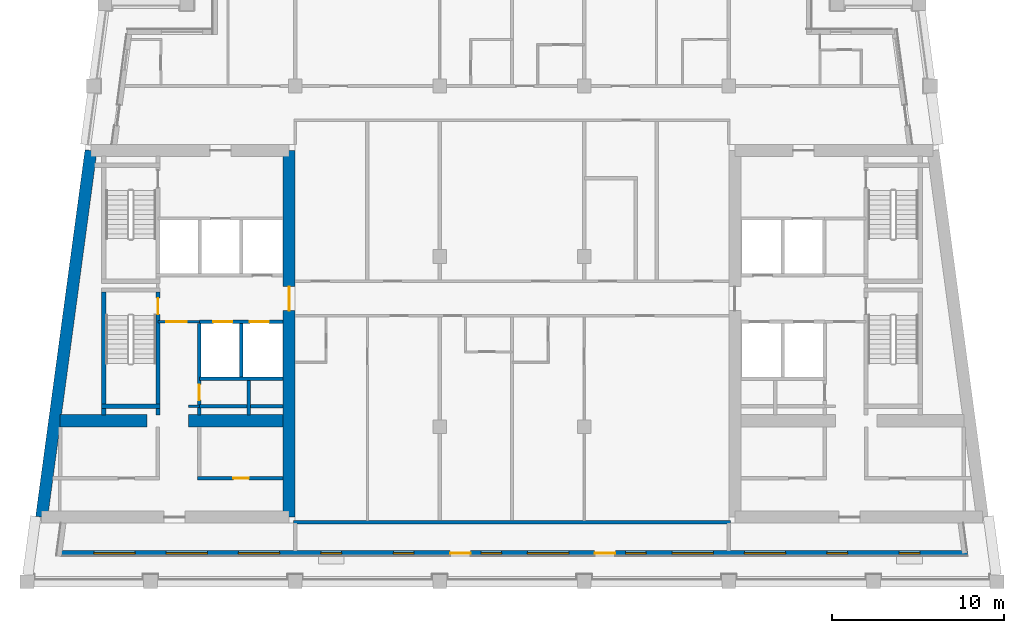
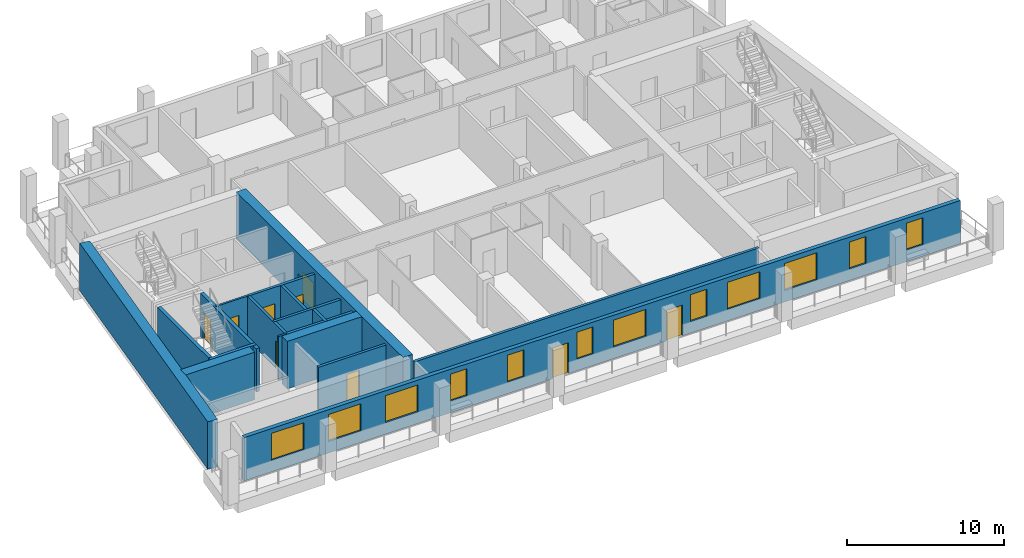
# One storey, part 2 of 14: 18 walls, 12 windows, 9 doors, 21 openings.
"""IFC4 building model written with IfcOpenShell, lengths in metres."""

from ifc_helpers import new_model, si_unit, direction, frame, frame_2d, origin, place, context, subcontext, project, spatial, rectangle, extrude, material, layer, layer_set, type_object, element, fill, save


model = new_model("IFC4")

# Units and contexts
model_context = context("Model", 3, precision=1e-05, world=origin(), true_north=direction((0.0, 1.0)))
body_context = subcontext(model_context, "Body", "Model", "MODEL_VIEW")
ifc_project = project(units=[si_unit("LENGTHUNIT", "METRE"), si_unit("AREAUNIT", "SQUARE_METRE"), si_unit("VOLUMEUNIT", "CUBIC_METRE"), si_unit("PLANEANGLEUNIT", "RADIAN"), si_unit("MASSUNIT", "GRAM", prefix="KILO")], contexts=[model_context])

# Site, building, storey
site_placement = place(None, origin())
site = spatial("IfcSite", under=ifc_project, at=site_placement, CompositionType="ELEMENT")
building_placement = place(site_placement, origin())
building = spatial("IfcBuilding", under=site, at=building_placement, Name="Candeia Pilgrim Tower and Theatre", CompositionType="ELEMENT")
storey_placement = place(building_placement, frame((0.0, 0.0, 266.39990234375)))
storey = spatial("IfcBuildingStorey", under=building, at=storey_placement, Name="L64", CompositionType="ELEMENT", Elevation=266.39990234375)

# Wall, opening, door
ifc_material_1 = material(Name="Concrete C40/50", Category="concrete")
ifc_layer_1 = layer(ifc_material_1, 0.699951171875)
ifc_layer_set_1 = layer_set([ifc_layer_1], Name="Core wall 700 C40/50")
wall_type_1 = type_object("IfcWallType", Name="Core wall 700 C40/50", PredefinedType="SHEAR", material=ifc_layer_set_1)
wall_1_placement = place(storey_placement, frame((100.449951171875, 132.050048828125, 0.0), z_axis=(0.0, 0.0, 1.0), x_axis=(0.0, -1.0, 0.0)))
wall_1 = element("IfcWall", 1, at=wall_1_placement, inside=storey, type_object=wall_type_1, Name="Core wall W2", PredefinedType="SHEAR", context=body_context, shape_type="SweptSolid", body=[
    extrude(rectangle(XDim=21.300048828125, YDim=0.699951171875, at=frame_2d((10.64990234375, 0.0))), origin(), (0.0, 0.0, 1.0), 3.7001953125),
])
opening_1_placement = place(wall_1_placement, frame((7.89990234375, 0.0, 0.0)))
opening_1 = element("IfcOpeningElement", 2, at=opening_1_placement, cuts=wall_1, Name="Opening L64-D044", PredefinedType="OPENING", context=body_context, shape_type="SweptSolid", body=[
    extrude(rectangle(XDim=1.39990234375, YDim=2.10009765625, at=frame_2d((0.699951171875, 1.050048828125))), frame((0.0, 0.35986328125, 0.0), z_axis=(0.0, -1.0, 0.0), x_axis=(1.0, 0.0, 0.0)), (0.0, 0.0, 1.0), 0.719970703125),
])
ifc_material_2 = material(Name="Steel fire door set", Category="steel")
door_type_1 = type_object("IfcDoorType", Name="D-1400-FD60", OperationType="NOTDEFINED", PredefinedType="DOOR", material=ifc_material_2)
door_1_placement = place(opening_1_placement, origin())
door_1 = element("IfcDoor", 3, at=door_1_placement, inside=storey, type_object=door_type_1, Name="Door L64-D044", OperationType="SINGLE_SWING_RIGHT", OverallHeight=2.10009765625, OverallWidth=1.39990234375, PredefinedType="DOOR", context=body_context, shape_type="SweptSolid", body=[
    extrude(rectangle(XDim=1.39990234375, YDim=2.10009765625, at=frame_2d((0.699951171875, 1.050048828125))), frame((0.0, 0.02490234375, 0.0), z_axis=(0.0, -1.0, 0.0), x_axis=(1.0, 0.0, 0.0)), (0.0, 0.0, 1.0), 0.050048828125),
])
fill(opening_1, door_1)

# Walls
wall_2_placement = place(storey_placement, frame((86.069580078125, 110.75, 0.0), z_axis=(0.0, 0.0, 1.0), x_axis=(0.133406218907, 0.991061441464, 0.0)))
element("IfcWall", 4, at=wall_2_placement, inside=storey, type_object=wall_type_1, Name="Core wall W4", PredefinedType="SHEAR", context=body_context, shape_type="SweptSolid", body=[
    extrude(rectangle(XDim=21.4921875, YDim=0.699951171875, at=frame_2d((10.74609375, 0.0))), origin(), (0.0, 0.0, 1.0), 3.7001953125),
])
wall_3_placement = place(storey_placement, frame((87.123046875, 116.35009765625, 0.0), z_axis=(0.0, 0.0, 1.0), x_axis=(1.0, 0.0, 0.0)))
element("IfcWall", 5, at=wall_3_placement, inside=storey, type_object=wall_type_1, Name="Core wall W5", PredefinedType="SHEAR", context=body_context, shape_type="SweptSolid", body=[
    extrude(rectangle(XDim=5.076904296875, YDim=0.699951171875, at=frame_2d((2.53857421875, 0.0))), origin(), (0.0, 0.0, 1.0), 3.7001953125),
])
wall_4_placement = place(storey_placement, frame((94.60009765625, 116.35009765625, 0.0), z_axis=(0.0, 0.0, 1.0), x_axis=(1.0, 0.0, 0.0)))
element("IfcWall", 6, at=wall_4_placement, inside=storey, type_object=wall_type_1, Name="Core wall W6", PredefinedType="SHEAR", context=body_context, shape_type="SweptSolid", body=[
    extrude(rectangle(XDim=5.5, YDim=0.699951171875, at=frame_2d((2.75, 0.0))), origin(), (0.0, 0.0, 1.0), 3.7001953125),
])

# Wall, openings, doors, windows
ifc_material_3 = material(Name="Ceramic block masonry", Category="masonry")
ifc_layer_2 = layer(ifc_material_3, 0.300048828125)
ifc_layer_set_2 = layer_set([ifc_layer_2], Name="EW1 glazing-line wall 300")
wall_type_2 = type_object("IfcWallType", Name="EW1 glazing-line wall 300", PredefinedType="SOLIDWALL", material=ifc_layer_set_2)
wall_5_placement = place(storey_placement, frame((87.0986328125, 108.64990234375, 0.0), z_axis=(0.0, 0.0, 1.0), x_axis=(1.0, 0.0, 0.0)))
wall_5 = element("IfcWall", 7, at=wall_5_placement, inside=storey, type_object=wall_type_2, Name="External wall L64-1.0", PredefinedType="SOLIDWALL", context=body_context, shape_type="SweptSolid", body=[
    extrude(rectangle(XDim=52.7744140625, YDim=0.300048828125, at=frame_2d((26.38720703125, 0.0))), origin(), (0.0, 0.0, 1.0), 3.380126953125),
])
opening_2_placement = place(wall_5_placement, frame((2.00146484375, 0.0, 0.89990234375)))
opening_2 = element("IfcOpeningElement", 8, at=opening_2_placement, cuts=wall_5, Name="Opening W-A", PredefinedType="OPENING", context=body_context, shape_type="SweptSolid", body=[
    extrude(rectangle(XDim=2.39990234375, YDim=2.10009765625, at=frame_2d((1.199951171875, 1.050048828125))), frame((0.0, 0.16015625, 0.0), z_axis=(0.0, -1.0, 0.0), x_axis=(1.0, 0.0, 0.0)), (0.0, 0.0, 1.0), 0.320068359375),
])
opening_3_placement = place(wall_5_placement, frame((6.201416015625, 0.0, 0.89990234375)))
opening_3 = element("IfcOpeningElement", 9, at=opening_3_placement, cuts=wall_5, Name="Opening W-A", PredefinedType="OPENING", context=body_context, shape_type="SweptSolid", body=[
    extrude(rectangle(XDim=2.39990234375, YDim=2.10009765625, at=frame_2d((1.199951171875, 1.050048828125))), frame((0.0, 0.16015625, 0.0), z_axis=(0.0, -1.0, 0.0), x_axis=(1.0, 0.0, 0.0)), (0.0, 0.0, 1.0), 0.320068359375),
])
opening_4_placement = place(wall_5_placement, frame((10.4013671875, 0.0, 0.89990234375)))
opening_4 = element("IfcOpeningElement", 10, at=opening_4_placement, cuts=wall_5, Name="Opening W-A", PredefinedType="OPENING", context=body_context, shape_type="SweptSolid", body=[
    extrude(rectangle(XDim=2.39990234375, YDim=2.10009765625, at=frame_2d((1.199951171875, 1.050048828125))), frame((0.0, 0.16015625, 0.0), z_axis=(0.0, -1.0, 0.0), x_axis=(1.0, 0.0, 0.0)), (0.0, 0.0, 1.0), 0.320068359375),
])
opening_5_placement = place(wall_5_placement, frame((15.201416015625, 0.0, 0.89990234375)))
opening_5 = element("IfcOpeningElement", 11, at=opening_5_placement, cuts=wall_5, Name="Opening W-B", PredefinedType="OPENING", context=body_context, shape_type="SweptSolid", body=[
    extrude(rectangle(XDim=1.199951171875, YDim=2.10009765625, at=frame_2d((0.60009765625, 1.050048828125))), frame((0.0, 0.16015625, 0.0), z_axis=(0.0, -1.0, 0.0), x_axis=(1.0, 0.0, 0.0)), (0.0, 0.0, 1.0), 0.320068359375),
])
opening_6_placement = place(wall_5_placement, frame((19.4013671875, 0.0, 0.89990234375)))
opening_6 = element("IfcOpeningElement", 12, at=opening_6_placement, cuts=wall_5, Name="Opening W-B", PredefinedType="OPENING", context=body_context, shape_type="SweptSolid", body=[
    extrude(rectangle(XDim=1.199951171875, YDim=2.10009765625, at=frame_2d((0.60009765625, 1.050048828125))), frame((0.0, 0.16015625, 0.0), z_axis=(0.0, -1.0, 0.0), x_axis=(1.0, 0.0, 0.0)), (0.0, 0.0, 1.0), 0.320068359375),
])
opening_7_placement = place(wall_5_placement, frame((22.701416015625, 0.0, 0.0)))
opening_7 = element("IfcOpeningElement", 13, at=opening_7_placement, cuts=wall_5, Name="Opening L64-ED605", PredefinedType="OPENING", context=body_context, shape_type="SweptSolid", body=[
    extrude(rectangle(XDim=1.199951171875, YDim=2.39990234375, at=frame_2d((0.60009765625, 1.199951171875))), frame((0.0, 0.16015625, 0.0), z_axis=(0.0, -1.0, 0.0), x_axis=(1.0, 0.0, 0.0)), (0.0, 0.0, 1.0), 0.320068359375),
])
opening_8_placement = place(wall_5_placement, frame((24.50146484375, 0.0, 0.89990234375)))
opening_8 = element("IfcOpeningElement", 14, at=opening_8_placement, cuts=wall_5, Name="Opening W-B", PredefinedType="OPENING", context=body_context, shape_type="SweptSolid", body=[
    extrude(rectangle(XDim=1.199951171875, YDim=2.10009765625, at=frame_2d((0.60009765625, 1.050048828125))), frame((0.0, 0.16015625, 0.0), z_axis=(0.0, -1.0, 0.0), x_axis=(1.0, 0.0, 0.0)), (0.0, 0.0, 1.0), 0.320068359375),
])
opening_9_placement = place(wall_5_placement, frame((27.201416015625, 0.0, 0.89990234375)))
opening_9 = element("IfcOpeningElement", 15, at=opening_9_placement, cuts=wall_5, Name="Opening W-A", PredefinedType="OPENING", context=body_context, shape_type="SweptSolid", body=[
    extrude(rectangle(XDim=2.39990234375, YDim=2.10009765625, at=frame_2d((1.199951171875, 1.050048828125))), frame((0.0, 0.16015625, 0.0), z_axis=(0.0, -1.0, 0.0), x_axis=(1.0, 0.0, 0.0)), (0.0, 0.0, 1.0), 0.320068359375),
])
opening_10_placement = place(wall_5_placement, frame((31.1015625, 0.0, 0.0)))
opening_10 = element("IfcOpeningElement", 16, at=opening_10_placement, cuts=wall_5, Name="Opening L64-ED606", PredefinedType="OPENING", context=body_context, shape_type="SweptSolid", body=[
    extrude(rectangle(XDim=1.199951171875, YDim=2.39990234375, at=frame_2d((0.60009765625, 1.199951171875))), frame((0.0, 0.16015625, 0.0), z_axis=(0.0, -1.0, 0.0), x_axis=(1.0, 0.0, 0.0)), (0.0, 0.0, 1.0), 0.320068359375),
])
opening_11_placement = place(wall_5_placement, frame((32.9013671875, 0.0, 0.89990234375)))
opening_11 = element("IfcOpeningElement", 17, at=opening_11_placement, cuts=wall_5, Name="Opening W-B", PredefinedType="OPENING", context=body_context, shape_type="SweptSolid", body=[
    extrude(rectangle(XDim=1.199951171875, YDim=2.10009765625, at=frame_2d((0.60009765625, 1.050048828125))), frame((0.0, 0.16015625, 0.0), z_axis=(0.0, -1.0, 0.0), x_axis=(1.0, 0.0, 0.0)), (0.0, 0.0, 1.0), 0.320068359375),
])
opening_12_placement = place(wall_5_placement, frame((35.6015625, 0.0, 0.89990234375)))
opening_12 = element("IfcOpeningElement", 18, at=opening_12_placement, cuts=wall_5, Name="Opening W-A", PredefinedType="OPENING", context=body_context, shape_type="SweptSolid", body=[
    extrude(rectangle(XDim=2.39990234375, YDim=2.10009765625, at=frame_2d((1.199951171875, 1.050048828125))), frame((0.0, 0.16015625, 0.0), z_axis=(0.0, -1.0, 0.0), x_axis=(1.0, 0.0, 0.0)), (0.0, 0.0, 1.0), 0.320068359375),
])
opening_13_placement = place(wall_5_placement, frame((39.801513671875, 0.0, 0.89990234375)))
opening_13 = element("IfcOpeningElement", 19, at=opening_13_placement, cuts=wall_5, Name="Opening W-A", PredefinedType="OPENING", context=body_context, shape_type="SweptSolid", body=[
    extrude(rectangle(XDim=2.39990234375, YDim=2.10009765625, at=frame_2d((1.199951171875, 1.050048828125))), frame((0.0, 0.16015625, 0.0), z_axis=(0.0, -1.0, 0.0), x_axis=(1.0, 0.0, 0.0)), (0.0, 0.0, 1.0), 0.320068359375),
])
opening_14_placement = place(wall_5_placement, frame((44.6015625, 0.0, 0.89990234375)))
opening_14 = element("IfcOpeningElement", 20, at=opening_14_placement, cuts=wall_5, Name="Opening W-B", PredefinedType="OPENING", context=body_context, shape_type="SweptSolid", body=[
    extrude(rectangle(XDim=1.199951171875, YDim=2.10009765625, at=frame_2d((0.60009765625, 1.050048828125))), frame((0.0, 0.16015625, 0.0), z_axis=(0.0, -1.0, 0.0), x_axis=(1.0, 0.0, 0.0)), (0.0, 0.0, 1.0), 0.320068359375),
])
opening_15_placement = place(wall_5_placement, frame((48.801513671875, 0.0, 0.89990234375)))
opening_15 = element("IfcOpeningElement", 21, at=opening_15_placement, cuts=wall_5, Name="Opening W-B", PredefinedType="OPENING", context=body_context, shape_type="SweptSolid", body=[
    extrude(rectangle(XDim=1.199951171875, YDim=2.10009765625, at=frame_2d((0.60009765625, 1.050048828125))), frame((0.0, 0.16015625, 0.0), z_axis=(0.0, -1.0, 0.0), x_axis=(1.0, 0.0, 0.0)), (0.0, 0.0, 1.0), 0.320068359375),
])
ifc_material_4 = material(Name="Aluminium framed glazed door", Category="aluminium")
door_type_2 = type_object("IfcDoorType", Name="Loggia door 1200x2400", OperationType="DOUBLE_DOOR_SINGLE_SWING", PredefinedType="DOOR", material=ifc_material_4)
door_2_placement = place(opening_7_placement, origin())
door_2 = element("IfcDoor", 22, at=door_2_placement, inside=storey, type_object=door_type_2, Name="Loggia door L64-ED605", OperationType="DOUBLE_DOOR_SINGLE_SWING", OverallHeight=2.39990234375, OverallWidth=1.199951171875, PredefinedType="DOOR", context=body_context, shape_type="SweptSolid", body=[
    extrude(rectangle(XDim=1.199951171875, YDim=2.39990234375, at=frame_2d((0.60009765625, 1.199951171875))), frame((0.0, 0.02490234375, 0.0), z_axis=(0.0, -1.0, 0.0), x_axis=(1.0, 0.0, 0.0)), (0.0, 0.0, 1.0), 0.050048828125),
])
fill(opening_7, door_2)
door_3_placement = place(opening_10_placement, origin())
door_3 = element("IfcDoor", 23, at=door_3_placement, inside=storey, type_object=door_type_2, Name="Loggia door L64-ED606", OperationType="DOUBLE_DOOR_SINGLE_SWING", OverallHeight=2.39990234375, OverallWidth=1.199951171875, PredefinedType="DOOR", context=body_context, shape_type="SweptSolid", body=[
    extrude(rectangle(XDim=1.199951171875, YDim=2.39990234375, at=frame_2d((0.60009765625, 1.199951171875))), frame((0.0, 0.02490234375, 0.0), z_axis=(0.0, -1.0, 0.0), x_axis=(1.0, 0.0, 0.0)), (0.0, 0.0, 1.0), 0.050048828125),
])
fill(opening_10, door_3)
ifc_material_5 = material(Name="Aluminium framed double glazing", Category="aluminium")
window_type_1 = type_object("IfcWindowType", Name="W-A window 2400x2100", PartitioningType="DOUBLE_PANEL_VERTICAL", PredefinedType="WINDOW", material=ifc_material_5)
window_1_placement = place(opening_2_placement, origin())
window_1 = element("IfcWindow", 24, at=window_1_placement, inside=storey, type_object=window_type_1, Name="Window W-A L64", OverallHeight=2.10009765625, OverallWidth=2.39990234375, PartitioningType="SINGLE_PANEL", PredefinedType="WINDOW", context=body_context, shape_type="SweptSolid", body=[
    extrude(rectangle(XDim=2.39990234375, YDim=2.10009765625, at=frame_2d((1.199951171875, 1.050048828125))), frame((0.0, 0.030029296875, 0.0), z_axis=(0.0, -1.0, 0.0), x_axis=(1.0, 0.0, 0.0)), (0.0, 0.0, 1.0), 0.06005859375),
])
fill(opening_2, window_1)
window_2_placement = place(opening_3_placement, origin())
window_2 = element("IfcWindow", 25, at=window_2_placement, inside=storey, type_object=window_type_1, Name="Window W-A L64", OverallHeight=2.10009765625, OverallWidth=2.39990234375, PartitioningType="SINGLE_PANEL", PredefinedType="WINDOW", context=body_context, shape_type="SweptSolid", body=[
    extrude(rectangle(XDim=2.39990234375, YDim=2.10009765625, at=frame_2d((1.199951171875, 1.050048828125))), frame((0.0, 0.030029296875, 0.0), z_axis=(0.0, -1.0, 0.0), x_axis=(1.0, 0.0, 0.0)), (0.0, 0.0, 1.0), 0.06005859375),
])
fill(opening_3, window_2)
window_3_placement = place(opening_4_placement, origin())
window_3 = element("IfcWindow", 26, at=window_3_placement, inside=storey, type_object=window_type_1, Name="Window W-A L64", OverallHeight=2.10009765625, OverallWidth=2.39990234375, PartitioningType="SINGLE_PANEL", PredefinedType="WINDOW", context=body_context, shape_type="SweptSolid", body=[
    extrude(rectangle(XDim=2.39990234375, YDim=2.10009765625, at=frame_2d((1.199951171875, 1.050048828125))), frame((0.0, 0.030029296875, 0.0), z_axis=(0.0, -1.0, 0.0), x_axis=(1.0, 0.0, 0.0)), (0.0, 0.0, 1.0), 0.06005859375),
])
fill(opening_4, window_3)
window_4_placement = place(opening_9_placement, origin())
window_4 = element("IfcWindow", 27, at=window_4_placement, inside=storey, type_object=window_type_1, Name="Window W-A L64", OverallHeight=2.10009765625, OverallWidth=2.39990234375, PartitioningType="SINGLE_PANEL", PredefinedType="WINDOW", context=body_context, shape_type="SweptSolid", body=[
    extrude(rectangle(XDim=2.39990234375, YDim=2.10009765625, at=frame_2d((1.199951171875, 1.050048828125))), frame((0.0, 0.030029296875, 0.0), z_axis=(0.0, -1.0, 0.0), x_axis=(1.0, 0.0, 0.0)), (0.0, 0.0, 1.0), 0.06005859375),
])
fill(opening_9, window_4)
window_5_placement = place(opening_12_placement, origin())
window_5 = element("IfcWindow", 28, at=window_5_placement, inside=storey, type_object=window_type_1, Name="Window W-A L64", OverallHeight=2.10009765625, OverallWidth=2.39990234375, PartitioningType="SINGLE_PANEL", PredefinedType="WINDOW", context=body_context, shape_type="SweptSolid", body=[
    extrude(rectangle(XDim=2.39990234375, YDim=2.10009765625, at=frame_2d((1.199951171875, 1.050048828125))), frame((0.0, 0.030029296875, 0.0), z_axis=(0.0, -1.0, 0.0), x_axis=(1.0, 0.0, 0.0)), (0.0, 0.0, 1.0), 0.06005859375),
])
fill(opening_12, window_5)
window_6_placement = place(opening_13_placement, origin())
window_6 = element("IfcWindow", 29, at=window_6_placement, inside=storey, type_object=window_type_1, Name="Window W-A L64", OverallHeight=2.10009765625, OverallWidth=2.39990234375, PartitioningType="SINGLE_PANEL", PredefinedType="WINDOW", context=body_context, shape_type="SweptSolid", body=[
    extrude(rectangle(XDim=2.39990234375, YDim=2.10009765625, at=frame_2d((1.199951171875, 1.050048828125))), frame((0.0, 0.030029296875, 0.0), z_axis=(0.0, -1.0, 0.0), x_axis=(1.0, 0.0, 0.0)), (0.0, 0.0, 1.0), 0.06005859375),
])
fill(opening_13, window_6)
window_type_2 = type_object("IfcWindowType", Name="W-B window 1200x2100", PartitioningType="SINGLE_PANEL", PredefinedType="WINDOW", material=ifc_material_5)
window_7_placement = place(opening_5_placement, origin())
window_7 = element("IfcWindow", 30, at=window_7_placement, inside=storey, type_object=window_type_2, Name="Window W-B L64", OverallHeight=2.10009765625, OverallWidth=1.199951171875, PartitioningType="SINGLE_PANEL", PredefinedType="WINDOW", context=body_context, shape_type="SweptSolid", body=[
    extrude(rectangle(XDim=1.199951171875, YDim=2.10009765625, at=frame_2d((0.60009765625, 1.050048828125))), frame((0.0, 0.030029296875, 0.0), z_axis=(0.0, -1.0, 0.0), x_axis=(1.0, 0.0, 0.0)), (0.0, 0.0, 1.0), 0.06005859375),
])
fill(opening_5, window_7)
window_8_placement = place(opening_6_placement, origin())
window_8 = element("IfcWindow", 31, at=window_8_placement, inside=storey, type_object=window_type_2, Name="Window W-B L64", OverallHeight=2.10009765625, OverallWidth=1.199951171875, PartitioningType="SINGLE_PANEL", PredefinedType="WINDOW", context=body_context, shape_type="SweptSolid", body=[
    extrude(rectangle(XDim=1.199951171875, YDim=2.10009765625, at=frame_2d((0.60009765625, 1.050048828125))), frame((0.0, 0.030029296875, 0.0), z_axis=(0.0, -1.0, 0.0), x_axis=(1.0, 0.0, 0.0)), (0.0, 0.0, 1.0), 0.06005859375),
])
fill(opening_6, window_8)
window_9_placement = place(opening_8_placement, origin())
window_9 = element("IfcWindow", 32, at=window_9_placement, inside=storey, type_object=window_type_2, Name="Window W-B L64", OverallHeight=2.10009765625, OverallWidth=1.199951171875, PartitioningType="SINGLE_PANEL", PredefinedType="WINDOW", context=body_context, shape_type="SweptSolid", body=[
    extrude(rectangle(XDim=1.199951171875, YDim=2.10009765625, at=frame_2d((0.60009765625, 1.050048828125))), frame((0.0, 0.030029296875, 0.0), z_axis=(0.0, -1.0, 0.0), x_axis=(1.0, 0.0, 0.0)), (0.0, 0.0, 1.0), 0.06005859375),
])
fill(opening_8, window_9)
window_10_placement = place(opening_11_placement, origin())
window_10 = element("IfcWindow", 33, at=window_10_placement, inside=storey, type_object=window_type_2, Name="Window W-B L64", OverallHeight=2.10009765625, OverallWidth=1.199951171875, PartitioningType="SINGLE_PANEL", PredefinedType="WINDOW", context=body_context, shape_type="SweptSolid", body=[
    extrude(rectangle(XDim=1.199951171875, YDim=2.10009765625, at=frame_2d((0.60009765625, 1.050048828125))), frame((0.0, 0.030029296875, 0.0), z_axis=(0.0, -1.0, 0.0), x_axis=(1.0, 0.0, 0.0)), (0.0, 0.0, 1.0), 0.06005859375),
])
fill(opening_11, window_10)
window_11_placement = place(opening_14_placement, origin())
window_11 = element("IfcWindow", 34, at=window_11_placement, inside=storey, type_object=window_type_2, Name="Window W-B L64", OverallHeight=2.10009765625, OverallWidth=1.199951171875, PartitioningType="SINGLE_PANEL", PredefinedType="WINDOW", context=body_context, shape_type="SweptSolid", body=[
    extrude(rectangle(XDim=1.199951171875, YDim=2.10009765625, at=frame_2d((0.60009765625, 1.050048828125))), frame((0.0, 0.030029296875, 0.0), z_axis=(0.0, -1.0, 0.0), x_axis=(1.0, 0.0, 0.0)), (0.0, 0.0, 1.0), 0.06005859375),
])
fill(opening_14, window_11)
window_12_placement = place(opening_15_placement, origin())
window_12 = element("IfcWindow", 35, at=window_12_placement, inside=storey, type_object=window_type_2, Name="Window W-B L64", OverallHeight=2.10009765625, OverallWidth=1.199951171875, PartitioningType="SINGLE_PANEL", PredefinedType="WINDOW", context=body_context, shape_type="SweptSolid", body=[
    extrude(rectangle(XDim=1.199951171875, YDim=2.10009765625, at=frame_2d((0.60009765625, 1.050048828125))), frame((0.0, 0.030029296875, 0.0), z_axis=(0.0, -1.0, 0.0), x_axis=(1.0, 0.0, 0.0)), (0.0, 0.0, 1.0), 0.06005859375),
])
fill(opening_15, window_12)

# Wall
ifc_material_6 = material(Name="Gypsum board partition on steel studs", Category="steel")
ifc_layer_3 = layer(ifc_material_6, 0.14990234375)
ifc_layer_set_3 = layer_set([ifc_layer_3], Name="PW-150 lobby wall")
wall_type_3 = type_object("IfcWallType", Name="PW-150 lobby wall", PredefinedType="PARTITIONING", material=ifc_layer_set_3)
wall_6_placement = place(storey_placement, frame((94.60009765625, 117.199951171875, 0.0), z_axis=(0.0, 0.0, 1.0), x_axis=(1.0, 0.0, 0.0)))
element("IfcWall", 36, at=wall_6_placement, inside=storey, type_object=wall_type_3, Name="Lobby wall L64-008", PredefinedType="PARTITIONING", context=body_context, shape_type="SweptSolid", body=[
    extrude(rectangle(XDim=0.626953125, YDim=0.14990234375, at=frame_2d((0.3134765625, 0.0))), origin(), (0.0, 0.0, 1.0), 3.380126953125),
])

# Wall, opening, door
wall_7_placement = place(storey_placement, frame((92.826904296875, 122.10009765625, 0.0), z_axis=(0.0, 0.0, 1.0), x_axis=(1.0, 0.0, 0.0)))
wall_7 = element("IfcWall", 37, at=wall_7_placement, inside=storey, type_object=wall_type_3, Name="Lobby wall L64-019", PredefinedType="PARTITIONING", context=body_context, shape_type="SweptSolid", body=[
    extrude(rectangle(XDim=2.400146484375, YDim=0.14990234375, at=frame_2d((1.2001953125, 0.0))), origin(), (0.0, 0.0, 1.0), 3.380126953125),
])
opening_16_placement = place(wall_7_placement, frame((0.47509765625, 0.0, 0.0)))
opening_16 = element("IfcOpeningElement", 38, at=opening_16_placement, cuts=wall_7, Name="Opening L64-D001", PredefinedType="OPENING", context=body_context, shape_type="SweptSolid", body=[
    extrude(rectangle(XDim=1.199951171875, YDim=2.10009765625, at=frame_2d((0.60009765625, 1.050048828125))), frame((0.0, 0.0849609375, 0.0), z_axis=(0.0, -1.0, 0.0), x_axis=(1.0, 0.0, 0.0)), (0.0, 0.0, 1.0), 0.169921875),
])
door_type_3 = type_object("IfcDoorType", Name="D-1200-FD60", OperationType="NOTDEFINED", PredefinedType="DOOR", material=ifc_material_2)
door_4_placement = place(opening_16_placement, origin())
door_4 = element("IfcDoor", 39, at=door_4_placement, inside=storey, type_object=door_type_3, Name="Door L64-D001", OperationType="SINGLE_SWING_LEFT", OverallHeight=2.10009765625, OverallWidth=1.199951171875, PredefinedType="DOOR", context=body_context, shape_type="SweptSolid", body=[
    extrude(rectangle(XDim=1.199951171875, YDim=2.10009765625, at=frame_2d((0.60009765625, 1.050048828125))), frame((0.0, 0.02490234375, 0.0), z_axis=(0.0, -1.0, 0.0), x_axis=(1.0, 0.0, 0.0)), (0.0, 0.0, 1.0), 0.050048828125),
])
fill(opening_16, door_4)

# Wall
ifc_layer_4 = layer(ifc_material_6, 0.199951171875)
ifc_layer_set_4 = layer_set([ifc_layer_4], Name="PW-200 party wall")
wall_type_4 = type_object("IfcWallType", Name="PW-200 party wall", PredefinedType="PARTITIONING", material=ifc_layer_set_4)
wall_8_placement = place(storey_placement, frame((100.699951171875, 110.449951171875, 0.0), z_axis=(0.0, 0.0, 1.0), x_axis=(1.0, 0.0, 0.0)))
element("IfcWall", 40, at=wall_8_placement, inside=storey, type_object=wall_type_4, Name="Party wall L64-001", PredefinedType="PARTITIONING", context=body_context, shape_type="SweptSolid", body=[
    extrude(rectangle(XDim=25.400146484375, YDim=0.199951171875, at=frame_2d((12.7001953125, 0.0))), origin(), (0.0, 0.0, 1.0), 3.380126953125),
])

# Wall, opening, door
ifc_layer_5 = layer(ifc_material_1, 0.199951171875)
ifc_layer_set_5 = layer_set([ifc_layer_5], Name="SW-200 shaft wall")
wall_type_5 = type_object("IfcWallType", Name="SW-200 shaft wall", PredefinedType="PARTITIONING", material=ifc_layer_set_5)
wall_9_placement = place(storey_placement, frame((95.126953125, 113.0, 0.0), z_axis=(0.0, 0.0, 1.0), x_axis=(1.0, 0.0, 0.0)))
wall_9 = element("IfcWall", 41, at=wall_9_placement, inside=storey, type_object=wall_type_5, Name="Shaft wall L64-003", PredefinedType="PARTITIONING", context=body_context, shape_type="SweptSolid", body=[
    extrude(rectangle(XDim=4.97314453125, YDim=0.199951171875, at=frame_2d((2.486572265625, 0.0))), origin(), (0.0, 0.0, 1.0), 3.380126953125),
])
opening_17_placement = place(wall_9_placement, frame((2.0869140625, 0.0, 0.0)))
opening_17 = element("IfcOpeningElement", 42, at=opening_17_placement, cuts=wall_9, Name="Opening L64-D006", PredefinedType="OPENING", context=body_context, shape_type="SweptSolid", body=[
    extrude(rectangle(XDim=0.89990234375, YDim=2.10009765625, at=frame_2d((0.449951171875, 1.050048828125))), frame((0.0, 0.10986328125, 0.0), z_axis=(0.0, -1.0, 0.0), x_axis=(1.0, 0.0, 0.0)), (0.0, 0.0, 1.0), 0.219970703125),
])
door_type_4 = type_object("IfcDoorType", Name="D-900-FD60", OperationType="NOTDEFINED", PredefinedType="DOOR", material=ifc_material_2)
door_5_placement = place(opening_17_placement, origin())
door_5 = element("IfcDoor", 43, at=door_5_placement, inside=storey, type_object=door_type_4, Name="Door L64-D006", OperationType="SINGLE_SWING_RIGHT", OverallHeight=2.10009765625, OverallWidth=0.89990234375, PredefinedType="DOOR", context=body_context, shape_type="SweptSolid", body=[
    extrude(rectangle(XDim=0.89990234375, YDim=2.10009765625, at=frame_2d((0.449951171875, 1.050048828125))), frame((0.0, 0.02490234375, 0.0), z_axis=(0.0, -1.0, 0.0), x_axis=(1.0, 0.0, 0.0)), (0.0, 0.0, 1.0), 0.050048828125),
])
fill(opening_17, door_5)

# Walls
for number, where, z_axis, x_axis, name in (
    (44, (95.22705078125, 117.199951171875, 0.0), (0.0, 0.0, 1.0), (1.0, 0.0, 0.0), "Shaft wall L64-006"),
    (45, (95.22705078125, 118.800048828125, 0.0), (0.0, 0.0, 1.0), (1.0, 0.0, 0.0), "Shaft wall L64-012"),
):
    element("IfcWall", number, at=place(storey_placement, frame(where, z_axis=z_axis, x_axis=x_axis)), inside=storey, type_object=wall_type_5, Name=name, PredefinedType="PARTITIONING", context=body_context, shape_type="SweptSolid", body=[
        extrude(rectangle(XDim=4.873046875, YDim=0.199951171875, at=frame_2d((2.4365234375, 0.0))), origin(), (0.0, 0.0, 1.0), 3.380126953125),
    ])

# Wall, openings, doors
wall_10_placement = place(storey_placement, frame((95.22705078125, 122.10009765625, 0.0), z_axis=(0.0, 0.0, 1.0), x_axis=(1.0, 0.0, 0.0)))
wall_10 = element("IfcWall", 46, at=wall_10_placement, inside=storey, type_object=wall_type_5, Name="Shaft wall L64-017", PredefinedType="PARTITIONING", context=body_context, shape_type="SweptSolid", body=[
    extrude(rectangle(XDim=4.873046875, YDim=0.199951171875, at=frame_2d((2.4365234375, 0.0))), origin(), (0.0, 0.0, 1.0), 3.380126953125),
])
opening_18_placement = place(wall_10_placement, frame((0.826904296875, 0.0, 0.0)))
opening_18 = element("IfcOpeningElement", 47, at=opening_18_placement, cuts=wall_10, Name="Opening L64-LD01", PredefinedType="OPENING", context=body_context, shape_type="SweptSolid", body=[
    extrude(rectangle(XDim=1.10009765625, YDim=2.10009765625, at=frame_2d((0.550048828125, 1.050048828125))), frame((0.0, 0.10986328125, 0.0), z_axis=(0.0, -1.0, 0.0), x_axis=(1.0, 0.0, 0.0)), (0.0, 0.0, 1.0), 0.219970703125),
])
opening_19_placement = place(wall_10_placement, frame((2.946044921875, 0.0, 0.0)))
opening_19 = element("IfcOpeningElement", 48, at=opening_19_placement, cuts=wall_10, Name="Opening L64-LD02", PredefinedType="OPENING", context=body_context, shape_type="SweptSolid", body=[
    extrude(rectangle(XDim=1.10009765625, YDim=2.10009765625, at=frame_2d((0.550048828125, 1.050048828125))), frame((0.0, 0.10986328125, 0.0), z_axis=(0.0, -1.0, 0.0), x_axis=(1.0, 0.0, 0.0)), (0.0, 0.0, 1.0), 0.219970703125),
])
ifc_material_7 = material(Name="Glazed aluminium landing door", Category="aluminium")
door_type_5 = type_object("IfcDoorType", Name="LD-1100-EI120", OperationType="SLIDING_TO_LEFT", PredefinedType="DOOR", material=ifc_material_7)
door_6_placement = place(opening_18_placement, origin())
door_6 = element("IfcDoor", 49, at=door_6_placement, inside=storey, type_object=door_type_5, Name="Landing door 01 L64", OperationType="SLIDING_TO_LEFT", OverallHeight=2.10009765625, OverallWidth=1.10009765625, PredefinedType="DOOR", context=body_context, shape_type="SweptSolid", body=[
    extrude(rectangle(XDim=1.10009765625, YDim=2.10009765625, at=frame_2d((0.550048828125, 1.050048828125))), frame((0.0, 0.02490234375, 0.0), z_axis=(0.0, -1.0, 0.0), x_axis=(1.0, 0.0, 0.0)), (0.0, 0.0, 1.0), 0.050048828125),
])
fill(opening_18, door_6)
door_7_placement = place(opening_19_placement, origin())
door_7 = element("IfcDoor", 50, at=door_7_placement, inside=storey, type_object=door_type_5, Name="Landing door 02 L64", OperationType="SLIDING_TO_LEFT", OverallHeight=2.10009765625, OverallWidth=1.10009765625, PredefinedType="DOOR", context=body_context, shape_type="SweptSolid", body=[
    extrude(rectangle(XDim=1.10009765625, YDim=2.10009765625, at=frame_2d((0.550048828125, 1.050048828125))), frame((0.0, 0.02490234375, 0.0), z_axis=(0.0, -1.0, 0.0), x_axis=(1.0, 0.0, 0.0)), (0.0, 0.0, 1.0), 0.050048828125),
])
fill(opening_19, door_7)

# Wall, opening, door
wall_11_placement = place(storey_placement, frame((95.22705078125, 116.669921875, 0.0), z_axis=(0.0, 0.0, 1.0), x_axis=(0.0, 1.0, 0.0)))
wall_11 = element("IfcWall", 51, at=wall_11_placement, inside=storey, type_object=wall_type_5, Name="Shaft wall L64-053", PredefinedType="PARTITIONING", context=body_context, shape_type="SweptSolid", body=[
    extrude(rectangle(XDim=5.330078125, YDim=0.199951171875, at=frame_2d((2.6650390625, 0.0))), origin(), (0.0, 0.0, 1.0), 3.380126953125),
])
opening_20_placement = place(wall_11_placement, frame((0.8798828125, 0.0, 0.0)))
opening_20 = element("IfcOpeningElement", 52, at=opening_20_placement, cuts=wall_11, Name="Opening L64-D004", PredefinedType="OPENING", context=body_context, shape_type="SweptSolid", body=[
    extrude(rectangle(XDim=0.89990234375, YDim=2.10009765625, at=frame_2d((0.449951171875, 1.050048828125))), frame((0.0, 0.10986328125, 0.0), z_axis=(0.0, -1.0, 0.0), x_axis=(1.0, 0.0, 0.0)), (0.0, 0.0, 1.0), 0.219970703125),
])
door_8_placement = place(opening_20_placement, origin())
door_8 = element("IfcDoor", 53, at=door_8_placement, inside=storey, type_object=door_type_4, Name="Door L64-D004", OperationType="SINGLE_SWING_RIGHT", OverallHeight=2.10009765625, OverallWidth=0.89990234375, PredefinedType="DOOR", context=body_context, shape_type="SweptSolid", body=[
    extrude(rectangle(XDim=0.89990234375, YDim=2.10009765625, at=frame_2d((0.449951171875, 1.050048828125))), frame((0.0, 0.02490234375, 0.0), z_axis=(0.0, -1.0, 0.0), x_axis=(1.0, 0.0, 0.0)), (0.0, 0.0, 1.0), 0.050048828125),
])
fill(opening_20, door_8)

# Walls
wall_12_placement = place(storey_placement, frame((97.66357421875, 118.89990234375, 0.0), z_axis=(0.0, 0.0, 1.0), x_axis=(0.0, 1.0, 0.0)))
element("IfcWall", 54, at=wall_12_placement, inside=storey, type_object=wall_type_5, Name="Shaft wall L64-056", PredefinedType="PARTITIONING", context=body_context, shape_type="SweptSolid", body=[
    extrude(rectangle(XDim=3.10009765625, YDim=0.199951171875, at=frame_2d((1.550048828125, 0.0))), origin(), (0.0, 0.0, 1.0), 3.380126953125),
])
wall_13_placement = place(storey_placement, frame((98.10009765625, 116.669921875, 0.0), z_axis=(0.0, 0.0, 1.0), x_axis=(0.0, 1.0, 0.0)))
element("IfcWall", 55, at=wall_13_placement, inside=storey, type_object=wall_type_5, Name="Shaft wall L64-058", PredefinedType="PARTITIONING", context=body_context, shape_type="SweptSolid", body=[
    extrude(rectangle(XDim=2.030029296875, YDim=0.199951171875, at=frame_2d((1.01513671875, 0.0))), origin(), (0.0, 0.0, 1.0), 3.380126953125),
])
ifc_layer_6 = layer(ifc_material_1, 0.25)
ifc_layer_set_6 = layer_set([ifc_layer_6], Name="SW-250 stair wall")
wall_type_6 = type_object("IfcWallType", Name="SW-250 stair wall", PredefinedType="PARTITIONING", material=ifc_layer_set_6)
wall_14_placement = place(storey_placement, frame((89.552001953125, 117.199951171875, 0.0), z_axis=(0.0, 0.0, 1.0), x_axis=(1.0, 0.0, 0.0)))
element("IfcWall", 56, at=wall_14_placement, inside=storey, type_object=wall_type_6, Name="Stair wall L64-010", PredefinedType="PARTITIONING", context=body_context, shape_type="SweptSolid", body=[
    extrude(rectangle(XDim=3.39990234375, YDim=0.25, at=frame_2d((1.699951171875, 0.0))), origin(), (0.0, 0.0, 1.0), 3.380126953125),
])
wall_15_placement = place(storey_placement, frame((89.677001953125, 116.669921875, 0.0), z_axis=(0.0, 0.0, 1.0), x_axis=(0.0, 1.0, 0.0)))
element("IfcWall", 57, at=wall_15_placement, inside=storey, type_object=wall_type_6, Name="Stair wall L64-045", PredefinedType="PARTITIONING", context=body_context, shape_type="SweptSolid", body=[
    extrude(rectangle(XDim=7.155029296875, YDim=0.25, at=frame_2d((3.57763671875, 0.0))), origin(), (0.0, 0.0, 1.0), 3.380126953125),
])

# Wall, opening, door
wall_16_placement = place(storey_placement, frame((92.826904296875, 116.669921875, 0.0), z_axis=(0.0, 0.0, 1.0), x_axis=(0.0, 1.0, 0.0)))
wall_16 = element("IfcWall", 58, at=wall_16_placement, inside=storey, type_object=wall_type_6, Name="Stair wall L64-049", PredefinedType="PARTITIONING", context=body_context, shape_type="SweptSolid", body=[
    extrude(rectangle(XDim=7.155029296875, YDim=0.25, at=frame_2d((3.57763671875, 0.0))), origin(), (0.0, 0.0, 1.0), 3.380126953125),
])
opening_21_placement = place(wall_16_placement, frame((5.85498046875, 0.0, 0.0)))
opening_21 = element("IfcOpeningElement", 59, at=opening_21_placement, cuts=wall_16, Name="Opening L64-D002", PredefinedType="OPENING", context=body_context, shape_type="SweptSolid", body=[
    extrude(rectangle(XDim=0.949951171875, YDim=2.10009765625, at=frame_2d((0.47509765625, 1.050048828125))), frame((0.0, 0.135009765625, 0.0), z_axis=(0.0, -1.0, 0.0), x_axis=(1.0, 0.0, 0.0)), (0.0, 0.0, 1.0), 0.27001953125),
])
door_type_6 = type_object("IfcDoorType", Name="D-950-FD60", OperationType="NOTDEFINED", PredefinedType="DOOR", material=ifc_material_2)
door_9_placement = place(opening_21_placement, origin())
door_9 = element("IfcDoor", 60, at=door_9_placement, inside=storey, type_object=door_type_6, Name="Door L64-D002", OperationType="SINGLE_SWING_RIGHT", OverallHeight=2.10009765625, OverallWidth=0.949951171875, PredefinedType="DOOR", context=body_context, shape_type="SweptSolid", body=[
    extrude(rectangle(XDim=0.949951171875, YDim=2.10009765625, at=frame_2d((0.47509765625, 1.050048828125))), frame((0.0, 0.02490234375, 0.0), z_axis=(0.0, -1.0, 0.0), x_axis=(1.0, 0.0, 0.0)), (0.0, 0.0, 1.0), 0.050048828125),
])
fill(opening_21, door_9)

save(model, "model.ifc")
